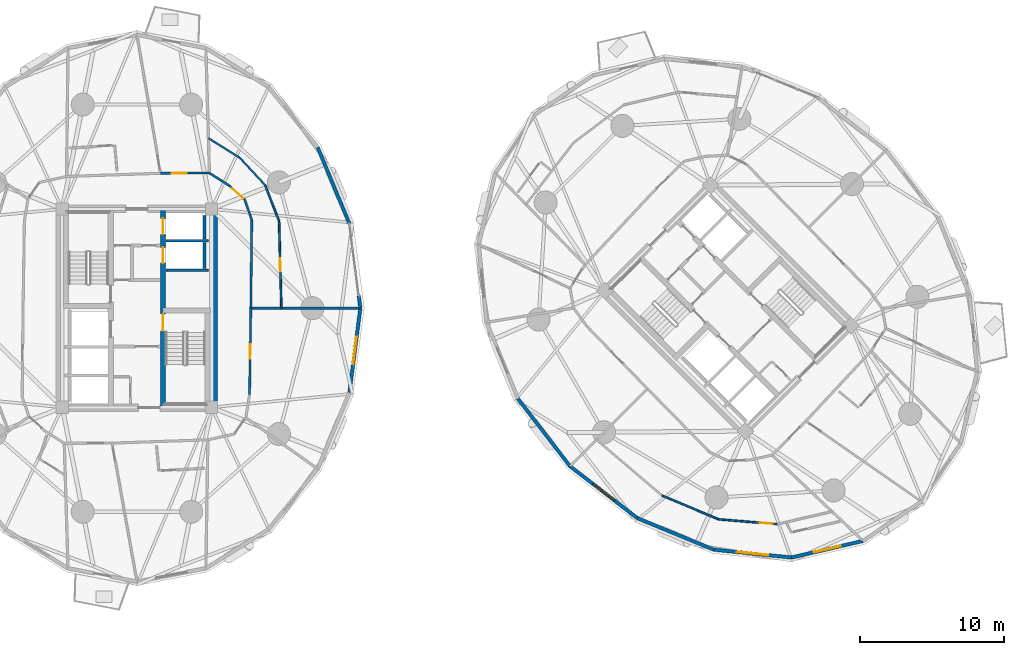
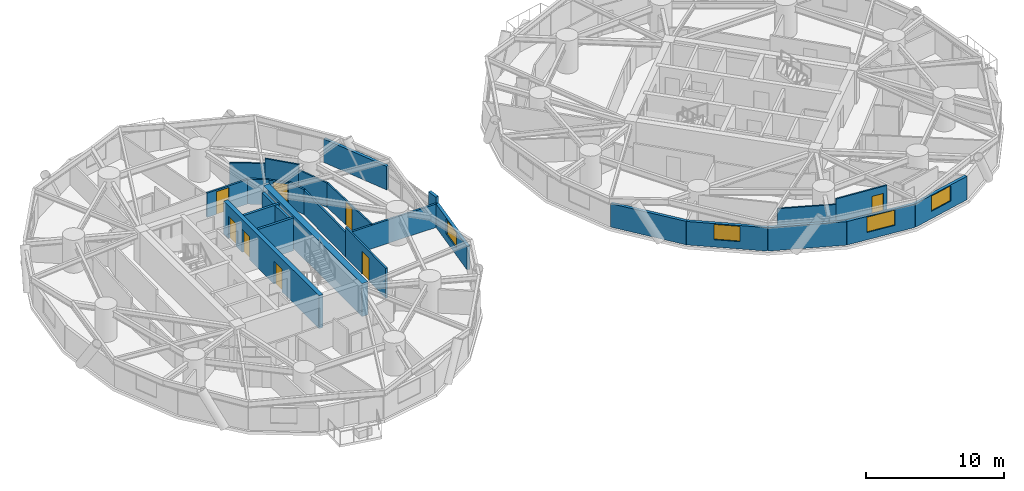
# One storey, part 11 of 19: 27 walls, 8 doors, 4 windows, 12 openings.
"""IFC4 building model written with IfcOpenShell, lengths in metres."""

from ifc_helpers import new_model, si_unit, direction, frame, frame_2d, origin, place, context, subcontext, project, spatial, rectangle, extrude, source, transform, mapped, material, layer, layer_set, type_object, element, fill, save


model = new_model("IFC4")

# Units and contexts
model_context = context("Model", 3, precision=1e-05, world=origin(), true_north=direction((0.0, 1.0)))
body_context = subcontext(model_context, "Body", "Model", "MODEL_VIEW")
ifc_project = project(units=[si_unit("LENGTHUNIT", "METRE"), si_unit("AREAUNIT", "SQUARE_METRE"), si_unit("VOLUMEUNIT", "CUBIC_METRE"), si_unit("PLANEANGLEUNIT", "RADIAN"), si_unit("MASSUNIT", "GRAM", prefix="KILO")], contexts=[model_context])

# Site, building, storey
site_placement = place(None, origin())
site = spatial("IfcSite", under=ifc_project, at=site_placement, CompositionType="ELEMENT")
building_placement = place(site_placement, origin())
building = spatial("IfcBuilding", under=site, at=building_placement, Name="Cununo Teusaquillo Station Towers", CompositionType="ELEMENT")
storey_placement = place(building_placement, frame((0.0, 0.0, 42.3701171875)))
storey = spatial("IfcBuildingStorey", under=building, at=storey_placement, Name="L12", CompositionType="ELEMENT", Elevation=42.3701171875)

# Walls
ifc_material_1 = material(Name="Concrete C50/60", Category="concrete")
ifc_layer_1 = layer(ifc_material_1, 0.199951171875)
ifc_layer_set_1 = layer_set([ifc_layer_1], Name="Concrete C50/60")
wall_type_1 = type_object("IfcWallType", Name="WL-CORE-200", PredefinedType="SHEAR", material=ifc_layer_set_1)
for number, where, z_axis, x_axis, name in (
    (1, (18.510009765625, 27.1298828125, 0.0), (0.0, 0.0, 1.0), (1.0, 0.0, 0.0), "L12 Tower A Low-Rise Lift Hoistway South Shear Wall"),
    (2, (18.510009765625, 29.175048828125, 0.0), (0.0, 0.0, 1.0), (1.0, 0.0, 0.0), "L12 Tower A Low-Rise Lift Hoistway Divider Shear Wall"),
):
    element("IfcWall", number, at=place(storey_placement, frame(where, z_axis=z_axis, x_axis=x_axis)), inside=storey, type_object=wall_type_1, Name=name, PredefinedType="SHEAR", context=body_context, shape_type="SweptSolid", body=[
        extrude(rectangle(XDim=2.969970703125, YDim=0.199951171875, at=frame_2d((1.48486328125, 0.0))), origin(), (0.0, 0.0, 1.0), 2.909912109375),
    ])
wall_1_placement = place(storey_placement, frame((21.179931640625, 27.25, 0.0), z_axis=(0.0, 0.0, 1.0), x_axis=(0.0, 1.0, 0.0)))
element("IfcWall", 3, at=wall_1_placement, inside=storey, type_object=wall_type_1, Name="L12 Tower A Low-Rise Lift 1 Shaft Rear Shear Wall", PredefinedType="SHEAR", context=body_context, shape_type="SweptSolid", body=[
    extrude(rectangle(XDim=1.804931640625, YDim=0.199951171875, at=frame_2d((0.90234375, 0.0))), origin(), (0.0, 0.0, 1.0), 2.909912109375),
])
wall_2_placement = place(storey_placement, frame((21.179931640625, 29.294921875, 0.0), z_axis=(0.0, 0.0, 1.0), x_axis=(0.0, 1.0, 0.0)))
element("IfcWall", 4, at=wall_2_placement, inside=storey, type_object=wall_type_1, Name="L12 Tower A Low-Rise Lift 2 Shaft Rear Shear Wall", PredefinedType="SHEAR", context=body_context, shape_type="SweptSolid", body=[
    extrude(rectangle(XDim=1.635009765625, YDim=0.199951171875, at=frame_2d((0.8173828125, 0.0))), origin(), (0.0, 0.0, 1.0), 2.909912109375),
])

# Wall, openings, doors
ifc_material_2 = material(Name="Concrete C50/60", Category="concrete")
ifc_layer_2 = layer(ifc_material_2, 0.35009765625)
ifc_layer_set_2 = layer_set([ifc_layer_2], Name="Concrete C50/60")
wall_type_2 = type_object("IfcWallType", Name="WL-CORE-350", PredefinedType="SHEAR", material=ifc_layer_set_2)
wall_3_placement = place(storey_placement, frame((18.31494140625, 17.60009765625, 0.0), z_axis=(0.0, 0.0, 1.0), x_axis=(0.0, 1.0, 0.0)))
wall_3 = element("IfcWall", 5, at=wall_3_placement, inside=storey, type_object=wall_type_2, Name="L12 Tower A Core Shear Wall IE", PredefinedType="SHEAR", context=body_context, shape_type="SweptSolid", body=[
    extrude(rectangle(XDim=13.7998046875, YDim=0.35009765625, at=frame_2d((6.89990234375, 0.0))), origin(), (0.0, 0.0, 1.0), 2.909912109375),
])
shared_shape_1 = source(origin(), body_context, "Body", "SweptSolid", [
    extrude(rectangle(XDim=1.10009765625, YDim=2.014892578125, at=frame_2d((0.550048828125, 1.00732421875))), frame((0.0, 0.18505859375, 0.0), z_axis=(0.0, -1.0, 0.0), x_axis=(1.0, 0.0, 0.0)), (0.0, 0.0, 1.0), 0.3701171875),
])
opening_1_placement = place(wall_3_placement, frame((10.02490234375, 0.0, 0.0)))
opening_1 = element("IfcOpeningElement", 6, at=opening_1_placement, cuts=wall_3, Name="Opening LD-01", PredefinedType="OPENING", context=body_context, shape_type="MappedRepresentation", body=[
    mapped(shared_shape_1, transform((0.0, 0.0, 0.0), x_axis=(1.0, 0.0, 0.0), y_axis=(0.0, 1.0, 0.0), z_axis=(0.0, 0.0, 1.0), scale=1.0)),
])
opening_2_placement = place(wall_3_placement, frame((12.02490234375, 0.0, 0.0)))
opening_2 = element("IfcOpeningElement", 7, at=opening_2_placement, cuts=wall_3, Name="Opening LD-01", PredefinedType="OPENING", context=body_context, shape_type="MappedRepresentation", body=[
    mapped(shared_shape_1, transform((0.0, 0.0, 0.0), x_axis=(1.0, 0.0, 0.0), y_axis=(0.0, 1.0, 0.0), z_axis=(0.0, 0.0, 1.0), scale=1.0)),
])
shared_shape_2 = source(origin(), body_context, "Body", "SweptSolid", [
    extrude(rectangle(XDim=1.14990234375, YDim=2.02001953125, at=frame_2d((0.574951171875, 1.010009765625))), frame((0.0, 0.18505859375, 0.0), z_axis=(0.0, -1.0, 0.0), x_axis=(1.0, 0.0, 0.0)), (0.0, 0.0, 1.0), 0.3701171875),
])
opening_3_placement = place(wall_3_placement, frame((5.330078125, 0.0, 0.0)))
opening_3 = element("IfcOpeningElement", 8, at=opening_3_placement, cuts=wall_3, Name="Opening D-ST1", PredefinedType="OPENING", context=body_context, shape_type="MappedRepresentation", body=[
    mapped(shared_shape_2, transform((0.0, 0.0, 0.0), x_axis=(1.0, 0.0, 0.0), y_axis=(0.0, 1.0, 0.0), z_axis=(0.0, 0.0, 1.0), scale=1.0)),
])
ifc_material_3 = material(Name="Galvanised fire-rated hollow steel door assembly", Category="steel")
door_type_1 = type_object("IfcDoorType", Name="DR-LIFT-1100", OperationType="SLIDING_TO_LEFT", PredefinedType="DOOR", material=ifc_material_3)
shared_shape_3 = source(origin(), body_context, "Body", "SweptSolid", [
    extrude(rectangle(XDim=1.10009765625, YDim=2.014892578125, at=frame_2d((0.550048828125, 1.00732421875))), frame((0.0, 0.02490234375, 0.0), z_axis=(0.0, -1.0, 0.0), x_axis=(1.0, 0.0, 0.0)), (0.0, 0.0, 1.0), 0.050048828125),
])
door_1_placement = place(opening_1_placement, origin())
door_1 = element("IfcDoor", 9, at=door_1_placement, inside=storey, type_object=door_type_1, Name="L12 Lift PL-T1-L1 Sliding Landing Door", OperationType="SLIDING_TO_RIGHT", OverallHeight=2.014892578125, OverallWidth=1.10009765625, PredefinedType="DOOR", context=body_context, shape_type="MappedRepresentation", body=[
    mapped(shared_shape_3, transform((0.0, 0.0, 0.0), x_axis=(1.0, 0.0, 0.0), y_axis=(0.0, 1.0, 0.0), z_axis=(0.0, 0.0, 1.0), scale=1.0)),
])
fill(opening_1, door_1)
door_2_placement = place(opening_2_placement, origin())
door_2 = element("IfcDoor", 10, at=door_2_placement, inside=storey, type_object=door_type_1, Name="L12 Lift PL-T1-L2 Sliding Landing Door", OperationType="SLIDING_TO_LEFT", OverallHeight=2.014892578125, OverallWidth=1.10009765625, PredefinedType="DOOR", context=body_context, shape_type="MappedRepresentation", body=[
    mapped(shared_shape_3, transform((0.0, 0.0, 0.0), x_axis=(1.0, 0.0, 0.0), y_axis=(0.0, 1.0, 0.0), z_axis=(0.0, 0.0, 1.0), scale=1.0)),
])
fill(opening_2, door_2)
ifc_material_4 = material(Name="Galvanised fire-rated hollow steel door assembly", Category="steel")
door_type_2 = type_object("IfcDoorType", Name="DR-STAIR-1150", OperationType="NOTDEFINED", PredefinedType="DOOR", material=ifc_material_4)
shared_shape_4 = source(origin(), body_context, "Body", "SweptSolid", [
    extrude(rectangle(XDim=1.14990234375, YDim=2.02001953125, at=frame_2d((0.574951171875, 1.010009765625))), frame((0.0, 0.02490234375, 0.0), z_axis=(0.0, -1.0, 0.0), x_axis=(1.0, 0.0, 0.0)), (0.0, 0.0, 1.0), 0.050048828125),
])
door_3_placement = place(opening_3_placement, origin())
door_3 = element("IfcDoor", 11, at=door_3_placement, inside=storey, type_object=door_type_2, Name="L12 Tower A Exit Stair 2 Fire Door", OperationType="SINGLE_SWING_RIGHT", OverallHeight=2.02001953125, OverallWidth=1.14990234375, PredefinedType="DOOR", context=body_context, shape_type="MappedRepresentation", body=[
    mapped(shared_shape_4, transform((0.0, 0.0, 0.0), x_axis=(1.0, 0.0, 0.0), y_axis=(0.0, 1.0, 0.0), z_axis=(0.0, 0.0, 1.0), scale=1.0)),
])
fill(opening_3, door_3)

# Walls
ifc_material_5 = material(Name="Concrete C60/75", Category="concrete")
ifc_layer_3 = layer(ifc_material_5, 0.5)
ifc_layer_set_3 = layer_set([ifc_layer_3], Name="Concrete C60/75")
wall_type_3 = type_object("IfcWallType", Name="WL-CORE-500", PredefinedType="SHEAR", material=ifc_layer_set_3)
wall_4_placement = place(storey_placement, frame((21.85009765625, 17.35009765625, 0.0), z_axis=(0.0, 0.0, 1.0), x_axis=(0.0, 1.0, 0.0)))
element("IfcWall", 12, at=wall_4_placement, inside=storey, type_object=wall_type_3, Name="L12 Tower A Core Shear Wall E", PredefinedType="SHEAR", context=body_context, shape_type="SweptSolid", body=[
    extrude(rectangle(XDim=14.2998046875, YDim=0.5, at=frame_2d((7.14990234375, 0.0))), origin(), (0.0, 0.0, 1.0), 2.909912109375),
])
ifc_material_6 = material(Name="Precast concrete C40/50", Category="concrete")
ifc_layer_4 = layer(ifc_material_6, 0.239990234375)
ifc_layer_set_4 = layer_set([ifc_layer_4], Name="Precast concrete C40/50")
wall_type_4 = type_object("IfcWallType", Name="WL-EXT-240", PredefinedType="SOLIDWALL", material=ifc_layer_set_4)
wall_5_placement = place(storey_placement, frame((31.88720703125, 25.36279296875, 0.0), z_axis=(0.0, 0.0, 1.0), x_axis=(0.128523364007, -0.991706481225, 0.0)))
element("IfcWall", 13, at=wall_5_placement, inside=storey, type_object=wall_type_4, Name="L12 Tower A Column Pier Cladding Wall C00-PB", PredefinedType="SOLIDWALL", context=body_context, shape_type="SweptSolid", body=[
    extrude(rectangle(XDim=0.8701171875, YDim=0.239990234375, at=frame_2d((0.43505859375, 0.0))), origin(), (0.0, 0.0, 1.0), 2.634765625),
])
wall_6_placement = place(storey_placement, frame((29.0390625, 35.650390625, 0.0), z_axis=(0.0, 0.0, 1.0), x_axis=(0.38430970593, -0.923204229804, 0.0)))
element("IfcWall", 14, at=wall_6_placement, inside=storey, type_object=wall_type_4, Name="L12 Tower A Exterior Facade Wall C01", PredefinedType="SOLIDWALL", context=body_context, shape_type="SweptSolid", body=[
    extrude(rectangle(XDim=5.728271484375, YDim=0.239990234375, at=frame_2d((2.8642578125, 0.0))), origin(), (0.0, 0.0, 1.0), 2.072998046875),
])

# Wall, opening, window
wall_7_placement = place(storey_placement, frame((31.9990234375, 24.5, 0.0), z_axis=(0.0, 0.0, 1.0), x_axis=(-0.128329107357, -0.991731637191, 0.0)))
wall_7 = element("IfcWall", 15, at=wall_7_placement, inside=storey, type_object=wall_type_4, Name="L12 Tower A Exterior Facade Wall C19", PredefinedType="SOLIDWALL", context=body_context, shape_type="SweptSolid", body=[
    extrude(rectangle(XDim=5.910888671875, YDim=0.239990234375, at=frame_2d((2.95556640625, 0.0))), origin(), (0.0, 0.0, 1.0), 2.072998046875),
])
shared_shape_5 = source(origin(), body_context, "Body", "SweptSolid", [
    extrude(rectangle(XDim=1.89990234375, YDim=1.35009765625, at=frame_2d((0.949951171875, 0.675048828125))), frame((0.0, 0.1298828125, 0.0), z_axis=(0.0, -1.0, 0.0), x_axis=(1.0, 0.0, 0.0)), (0.0, 0.0, 1.0), 0.260009765625),
])
opening_4_placement = place(wall_7_placement, frame((2.0048828125, 0.0, 0.64990234375)))
opening_4 = element("IfcOpeningElement", 16, at=opening_4_placement, cuts=wall_7, Name="Opening WN-02", PredefinedType="OPENING", context=body_context, shape_type="MappedRepresentation", body=[
    mapped(shared_shape_5, transform((0.0, 0.0, 0.0), x_axis=(1.0, 0.0, 0.0), y_axis=(0.0, 1.0, 0.0), z_axis=(0.0, 0.0, 1.0), scale=1.0)),
])
ifc_material_7 = material(Name="Operable acoustic tinted low-E double glazing", Category="glass")
window_type_1 = type_object("IfcWindowType", Name="WIN-OPER-1900", PartitioningType="DOUBLE_PANEL_VERTICAL", PredefinedType="WINDOW", material=ifc_material_7)
shared_shape_6 = source(origin(), body_context, "Body", "SweptSolid", [
    extrude(rectangle(XDim=1.89990234375, YDim=1.35009765625, at=frame_2d((0.949951171875, 0.675048828125))), frame((0.0, 0.030029296875, 0.0), z_axis=(0.0, -1.0, 0.0), x_axis=(1.0, 0.0, 0.0)), (0.0, 0.0, 1.0), 0.06005859375),
])
window_1_placement = place(opening_4_placement, origin())
window_1 = element("IfcWindow", 17, at=window_1_placement, inside=storey, type_object=window_type_1, Name="L12 Tower A Facade Window C19", OverallHeight=1.35009765625, OverallWidth=1.89990234375, PartitioningType="DOUBLE_PANEL_VERTICAL", PredefinedType="WINDOW", context=body_context, shape_type="MappedRepresentation", body=[
    mapped(shared_shape_6, transform((0.0, 0.0, 0.0), x_axis=(1.0, 0.0, 0.0), y_axis=(0.0, 1.0, 0.0), z_axis=(0.0, 0.0, 1.0), scale=1.0)),
])
fill(opening_4, window_1)

# Wall
wall_8_placement = place(storey_placement, frame((46.54052734375, 13.54052734375, 0.0), z_axis=(0.0, 0.0, 1.0), x_axis=(-0.610494906082, 0.792020182601, 0.0)))
element("IfcWall", 18, at=wall_8_placement, inside=storey, type_object=wall_type_4, Name="L12 Tower B Exterior Facade Wall C09", PredefinedType="SOLIDWALL", context=body_context, shape_type="SweptSolid", body=[
    extrude(rectangle(XDim=5.9111328125, YDim=0.239990234375, at=frame_2d((2.95556640625, 0.0))), origin(), (0.0, 0.0, 1.0), 2.072998046875),
])

# Wall, opening, window
wall_9_placement = place(storey_placement, frame((51.22216796875, 9.931884765625, 0.0), z_axis=(0.0, 0.0, 1.0), x_axis=(-0.792020182601, 0.610494906082, 0.0)))
wall_9 = element("IfcWall", 19, at=wall_9_placement, inside=storey, type_object=wall_type_4, Name="L12 Tower B Exterior Facade Wall C10", PredefinedType="SOLIDWALL", context=body_context, shape_type="SweptSolid", body=[
    extrude(rectangle(XDim=5.9111328125, YDim=0.239990234375, at=frame_2d((2.95556640625, 0.0))), origin(), (0.0, 0.0, 1.0), 2.072998046875),
])
opening_5_placement = place(wall_9_placement, frame((2.0048828125, 0.0, 0.64990234375)))
opening_5 = element("IfcOpeningElement", 20, at=opening_5_placement, cuts=wall_9, Name="Opening WN-02", PredefinedType="OPENING", context=body_context, shape_type="MappedRepresentation", body=[
    mapped(shared_shape_5, transform((0.0, 0.0, 0.0), x_axis=(1.0, 0.0, 0.0), y_axis=(0.0, 1.0, 0.0), z_axis=(0.0, 0.0, 1.0), scale=1.0)),
])
window_2_placement = place(opening_5_placement, origin())
window_2 = element("IfcWindow", 21, at=window_2_placement, inside=storey, type_object=window_type_1, Name="L12 Tower B Facade Window C10", OverallHeight=1.35009765625, OverallWidth=1.89990234375, PartitioningType="DOUBLE_PANEL_VERTICAL", PredefinedType="WINDOW", context=body_context, shape_type="MappedRepresentation", body=[
    mapped(shared_shape_6, transform((0.0, 0.0, 0.0), x_axis=(1.0, 0.0, 0.0), y_axis=(0.0, 1.0, 0.0), z_axis=(0.0, 0.0, 1.0), scale=1.0)),
])
fill(opening_5, window_2)

# Wall
wall_10_placement = place(storey_placement, frame((56.51806640625, 7.7490234375, 0.0), z_axis=(0.0, 0.0, 1.0), x_axis=(-0.924542988536, 0.381077764176, 0.0)))
element("IfcWall", 22, at=wall_10_placement, inside=storey, type_object=wall_type_4, Name="L12 Tower B Exterior Facade Wall C11", PredefinedType="SOLIDWALL", context=body_context, shape_type="SweptSolid", body=[
    extrude(rectangle(XDim=5.72802734375, YDim=0.239990234375, at=frame_2d((2.864013671875, 0.0))), origin(), (0.0, 0.0, 1.0), 2.072998046875),
])

# Wall, opening, window
wall_11_placement = place(storey_placement, frame((61.91015625, 7.2060546875, 0.0), z_axis=(0.0, 0.0, 1.0), x_axis=(-0.994968263437, 0.100190592135, 0.0)))
wall_11 = element("IfcWall", 23, at=wall_11_placement, inside=storey, type_object=wall_type_4, Name="L12 Tower B Exterior Facade Wall C12", PredefinedType="SOLIDWALL", context=body_context, shape_type="SweptSolid", body=[
    extrude(rectangle(XDim=5.41943359375, YDim=0.239990234375, at=frame_2d((2.709716796875, 0.0))), origin(), (0.0, 0.0, 1.0), 2.072998046875),
])
shared_shape_7 = source(origin(), body_context, "Body", "SweptSolid", [
    extrude(rectangle(XDim=2.199951171875, YDim=1.35009765625, at=frame_2d((1.10009765625, 0.675048828125))), frame((0.0, 0.1298828125, 0.0), z_axis=(0.0, -1.0, 0.0), x_axis=(1.0, 0.0, 0.0)), (0.0, 0.0, 1.0), 0.260009765625),
])
opening_6_placement = place(wall_11_placement, frame((1.610107421875, 0.0, 0.64990234375)))
opening_6 = element("IfcOpeningElement", 24, at=opening_6_placement, cuts=wall_11, Name="Opening WN-01", PredefinedType="OPENING", context=body_context, shape_type="MappedRepresentation", body=[
    mapped(shared_shape_7, transform((0.0, 0.0, 0.0), x_axis=(1.0, 0.0, 0.0), y_axis=(0.0, 1.0, 0.0), z_axis=(0.0, 0.0, 1.0), scale=1.0)),
])
ifc_material_8 = material(Name="Ceramic-fritted dark low-E double glazing", Category="glass")
window_type_2 = type_object("IfcWindowType", Name="WIN-FRIT-2200", PartitioningType="DOUBLE_PANEL_VERTICAL", PredefinedType="WINDOW", material=ifc_material_8)
shared_shape_8 = source(origin(), body_context, "Body", "SweptSolid", [
    extrude(rectangle(XDim=2.199951171875, YDim=1.35009765625, at=frame_2d((1.10009765625, 0.675048828125))), frame((0.0, 0.030029296875, 0.0), z_axis=(0.0, -1.0, 0.0), x_axis=(1.0, 0.0, 0.0)), (0.0, 0.0, 1.0), 0.06005859375),
])
window_3_placement = place(opening_6_placement, origin())
window_3 = element("IfcWindow", 25, at=window_3_placement, inside=storey, type_object=window_type_2, Name="L12 Tower B Facade Window C12", OverallHeight=1.35009765625, OverallWidth=2.199951171875, PartitioningType="DOUBLE_PANEL_VERTICAL", PredefinedType="WINDOW", context=body_context, shape_type="MappedRepresentation", body=[
    mapped(shared_shape_8, transform((0.0, 0.0, 0.0), x_axis=(1.0, 0.0, 0.0), y_axis=(0.0, 1.0, 0.0), z_axis=(0.0, 0.0, 1.0), scale=1.0)),
])
fill(opening_6, window_3)

wall_12_placement = place(storey_placement, frame((66.87060546875, 8.35595703125, 0.0), z_axis=(0.0, 0.0, 1.0), x_axis=(-0.974167686491, -0.22582585901, 0.0)))
wall_12 = element("IfcWall", 26, at=wall_12_placement, inside=storey, type_object=wall_type_4, Name="L12 Tower B Exterior Facade Wall C13", PredefinedType="SOLIDWALL", context=body_context, shape_type="SweptSolid", body=[
    extrude(rectangle(XDim=5.092041015625, YDim=0.239990234375, at=frame_2d((2.5458984375, 0.0))), origin(), (0.0, 0.0, 1.0), 2.072998046875),
])
opening_7_placement = place(wall_12_placement, frame((1.595947265625, 0.0, 0.64990234375)))
opening_7 = element("IfcOpeningElement", 27, at=opening_7_placement, cuts=wall_12, Name="Opening WN-02", PredefinedType="OPENING", context=body_context, shape_type="MappedRepresentation", body=[
    mapped(shared_shape_5, transform((0.0, 0.0, 0.0), x_axis=(1.0, 0.0, 0.0), y_axis=(0.0, 1.0, 0.0), z_axis=(0.0, 0.0, 1.0), scale=1.0)),
])
window_4_placement = place(opening_7_placement, origin())
window_4 = element("IfcWindow", 28, at=window_4_placement, inside=storey, type_object=window_type_1, Name="L12 Tower B Facade Window C13", OverallHeight=1.35009765625, OverallWidth=1.89990234375, PartitioningType="DOUBLE_PANEL_VERTICAL", PredefinedType="WINDOW", context=body_context, shape_type="MappedRepresentation", body=[
    mapped(shared_shape_6, transform((0.0, 0.0, 0.0), x_axis=(1.0, 0.0, 0.0), y_axis=(0.0, 1.0, 0.0), z_axis=(0.0, 0.0, 1.0), scale=1.0)),
])
fill(opening_7, window_4)

# Wall, opening, door
ifc_material_9 = material(Name="Fire-rated gypsum plasterboard partition assembly", Category="gypsum")
ifc_layer_5 = layer(ifc_material_9, 0.125)
ifc_layer_set_5 = layer_set([ifc_layer_5], Name="Fire-rated gypsum plasterboard partition assembly")
wall_type_5 = type_object("IfcWallType", Name="WL-PART-125", PredefinedType="PARTITIONING", material=ifc_layer_set_5)
wall_13_placement = place(storey_placement, frame((26.522216796875, 24.5, 0.0), z_axis=(0.0, 0.0, 1.0), x_axis=(-0.026902612335, 0.999638059224, 0.0)))
wall_13 = element("IfcWall", 29, at=wall_13_placement, inside=storey, type_object=wall_type_5, Name="L12 Tower A Hotel Grand Dining & Tea Lounge Concentric Partition Wall C00", PredefinedType="PARTITIONING", context=body_context, shape_type="SweptSolid", body=[
    extrude(rectangle(XDim=6.0439453125, YDim=0.125, at=frame_2d((3.02197265625, 0.0))), origin(), (0.0, 0.0, 1.0), 2.158935546875),
])
shared_shape_9 = source(origin(), body_context, "Body", "SweptSolid", [
    extrude(rectangle(XDim=0.89990234375, YDim=2.0048828125, at=frame_2d((0.449951171875, 1.00244140625))), frame((0.0, 0.072509765625, 0.0), z_axis=(0.0, -1.0, 0.0), x_axis=(1.0, 0.0, 0.0)), (0.0, 0.0, 1.0), 0.14501953125),
])
opening_8_placement = place(wall_13_placement, frame((2.572021484375, 0.0, 0.0)))
opening_8 = element("IfcOpeningElement", 30, at=opening_8_placement, cuts=wall_13, Name="Opening D-IN1", PredefinedType="OPENING", context=body_context, shape_type="MappedRepresentation", body=[
    mapped(shared_shape_9, transform((0.0, 0.0, 0.0), x_axis=(1.0, 0.0, 0.0), y_axis=(0.0, 1.0, 0.0), z_axis=(0.0, 0.0, 1.0), scale=1.0)),
])
ifc_material_10 = material(Name="Acoustic solid-core hardwood leaf assembly", Category="wood")
door_type_3 = type_object("IfcDoorType", Name="DR-INT-900", OperationType="NOTDEFINED", PredefinedType="DOOR", material=ifc_material_10)
shared_shape_10 = source(origin(), body_context, "Body", "SweptSolid", [
    extrude(rectangle(XDim=0.89990234375, YDim=2.0048828125, at=frame_2d((0.449951171875, 1.00244140625))), frame((0.0, 0.02490234375, 0.0), z_axis=(0.0, -1.0, 0.0), x_axis=(1.0, 0.0, 0.0)), (0.0, 0.0, 1.0), 0.050048828125),
])
door_4_placement = place(opening_8_placement, origin())
door_4 = element("IfcDoor", 31, at=door_4_placement, inside=storey, type_object=door_type_3, Name="L12 Tower A Hotel Grand Dining & Tea Lounge Connecting Door", OperationType="SINGLE_SWING_RIGHT", OverallHeight=2.0048828125, OverallWidth=0.89990234375, PredefinedType="DOOR", context=body_context, shape_type="MappedRepresentation", body=[
    mapped(shared_shape_10, transform((0.0, 0.0, 0.0), x_axis=(1.0, 0.0, 0.0), y_axis=(0.0, 1.0, 0.0), z_axis=(0.0, 0.0, 1.0), scale=1.0)),
])
fill(opening_8, door_4)

# Walls
wall_14_placement = place(storey_placement, frame((26.359619140625, 30.541748046875, 0.0), z_axis=(0.0, 0.0, 1.0), x_axis=(-0.361464762384, 0.932385770781, 0.0)))
element("IfcWall", 32, at=wall_14_placement, inside=storey, type_object=wall_type_5, Name="L12 Tower A Hotel Grand Dining & Tea Lounge Concentric Partition Wall C01", PredefinedType="PARTITIONING", context=body_context, shape_type="SweptSolid", body=[
    extrude(rectangle(XDim=2.67724609375, YDim=0.125, at=frame_2d((1.338623046875, 0.0))), origin(), (0.0, 0.0, 1.0), 2.158935546875),
])
wall_15_placement = place(storey_placement, frame((25.391845703125, 33.0380859375, 0.0), z_axis=(0.0, 0.0, 1.0), x_axis=(-0.67989141147, 0.733312804068, 0.0)))
element("IfcWall", 33, at=wall_15_placement, inside=storey, type_object=wall_type_5, Name="L12 Tower A Hotel Grand Dining & Tea Lounge Concentric Partition Wall C02", PredefinedType="PARTITIONING", context=body_context, shape_type="SweptSolid", body=[
    extrude(rectangle(XDim=2.57763671875, YDim=0.125, at=frame_2d((1.288818359375, 0.0))), origin(), (0.0, 0.0, 1.0), 2.634765625),
])
wall_16_placement = place(storey_placement, frame((23.639404296875, 34.92822265625, 0.0), z_axis=(0.0, 0.0, 1.0), x_axis=(-0.847294097071, 0.531124009125, 0.0)))
element("IfcWall", 34, at=wall_16_placement, inside=storey, type_object=wall_type_5, Name="L12 Tower A Hotel Grand Dining & Tea Lounge Concentric Partition Wall C03", PredefinedType="PARTITIONING", context=body_context, shape_type="SweptSolid", body=[
    extrude(rectangle(XDim=2.57373046875, YDim=0.125, at=frame_2d((1.286865234375, 0.0))), origin(), (0.0, 0.0, 1.0), 2.204833984375),
])
wall_17_placement = place(storey_placement, frame((52.929931640625, 11.501220703125, 0.0), z_axis=(0.0, 0.0, 1.0), x_axis=(0.922051248037, -0.387067818338, 0.0)))
element("IfcWall", 35, at=wall_17_placement, inside=storey, type_object=wall_type_5, Name="L12 Tower B Imperial Corner Hotel Suite Concentric Partition Wall C11", PredefinedType="PARTITIONING", context=body_context, shape_type="SweptSolid", body=[
    extrude(rectangle(XDim=4.260009765625, YDim=0.125, at=frame_2d((2.1298828125, 0.0))), origin(), (0.0, 0.0, 1.0), 2.158935546875),
])

# Wall, opening, door
wall_18_placement = place(storey_placement, frame((56.85791015625, 9.852294921875, 0.0), z_axis=(0.0, 0.0, 1.0), x_axis=(0.996604967548, -0.082331881181, 0.0)))
wall_18 = element("IfcWall", 36, at=wall_18_placement, inside=storey, type_object=wall_type_5, Name="L12 Tower B Imperial Corner Hotel Suite Concentric Partition Wall C12", PredefinedType="PARTITIONING", context=body_context, shape_type="SweptSolid", body=[
    extrude(rectangle(XDim=4.077392578125, YDim=0.125, at=frame_2d((2.03857421875, 0.0))), origin(), (0.0, 0.0, 1.0), 2.634765625),
])
opening_9_placement = place(wall_18_placement, frame((2.873779296875, 0.0, 0.0)))
opening_9 = element("IfcOpeningElement", 37, at=opening_9_placement, cuts=wall_18, Name="Opening D-IN1", PredefinedType="OPENING", context=body_context, shape_type="MappedRepresentation", body=[
    mapped(shared_shape_9, transform((0.0, 0.0, 0.0), x_axis=(1.0, 0.0, 0.0), y_axis=(0.0, 1.0, 0.0), z_axis=(0.0, 0.0, 1.0), scale=1.0)),
])
door_5_placement = place(opening_9_placement, origin())
door_5 = element("IfcDoor", 38, at=door_5_placement, inside=storey, type_object=door_type_3, Name="L12 Tower B Imperial Corner Hotel Suite Connecting Door", OperationType="SINGLE_SWING_LEFT", OverallHeight=2.0048828125, OverallWidth=0.89990234375, PredefinedType="DOOR", context=body_context, shape_type="MappedRepresentation", body=[
    mapped(shared_shape_10, transform((0.0, 0.0, 0.0), x_axis=(1.0, 0.0, 0.0), y_axis=(0.0, 1.0, 0.0), z_axis=(0.0, 0.0, 1.0), scale=1.0)),
])
fill(opening_9, door_5)

# Walls
ifc_material_11 = material(Name="Fire-rated gypsum plasterboard partition assembly", Category="gypsum")
ifc_layer_6 = layer(ifc_material_11, 0.14990234375)
ifc_layer_set_6 = layer_set([ifc_layer_6], Name="Fire-rated gypsum plasterboard partition assembly")
wall_type_6 = type_object("IfcWallType", Name="WL-PART-150", PredefinedType="PARTITIONING", material=ifc_layer_set_6)
wall_19_placement = place(storey_placement, frame((24.39990234375, 24.5, 0.0), z_axis=(0.0, 0.0, 1.0), x_axis=(0.011299841544, 0.999936154752, 0.0)))
element("IfcWall", 39, at=wall_19_placement, inside=storey, type_object=wall_type_6, Name="L12 Tower A Corridor Ring Wall C00", PredefinedType="PARTITIONING", context=body_context, shape_type="SweptSolid", body=[
    extrude(rectangle(XDim=6.114501953125, YDim=0.14990234375, at=frame_2d((3.05712890625, 0.0))), origin(), (0.0, 0.0, 1.0), 2.158935546875),
])
wall_20_placement = place(storey_placement, frame((24.468994140625, 30.614013671875, 0.0), z_axis=(0.0, 0.0, 1.0), x_axis=(-0.327228335485, 0.944945298129, 0.0)))
element("IfcWall", 40, at=wall_20_placement, inside=storey, type_object=wall_type_6, Name="L12 Tower A Corridor Ring Wall C01", PredefinedType="PARTITIONING", context=body_context, shape_type="SweptSolid", body=[
    extrude(rectangle(XDim=1.4951171875, YDim=0.14990234375, at=frame_2d((0.74755859375, 0.0))), origin(), (0.0, 0.0, 1.0), 2.204833984375),
])

# Wall, opening, door
wall_21_placement = place(storey_placement, frame((23.979736328125, 32.02685546875, 0.0), z_axis=(0.0, 0.0, 1.0), x_axis=(-0.742353224332, 0.670008724065, 0.0)))
wall_21 = element("IfcWall", 41, at=wall_21_placement, inside=storey, type_object=wall_type_6, Name="L12 Tower A Corridor Ring Wall C02", PredefinedType="PARTITIONING", context=body_context, shape_type="SweptSolid", body=[
    extrude(rectangle(XDim=1.48486328125, YDim=0.14990234375, at=frame_2d((0.742431640625, 0.0))), origin(), (0.0, 0.0, 1.0), 2.158935546875),
])
shared_shape_11 = source(origin(), body_context, "Body", "SweptSolid", [
    extrude(rectangle(XDim=1.050048828125, YDim=2.014892578125, at=frame_2d((0.52490234375, 1.00732421875))), frame((0.0, 0.0849609375, 0.0), z_axis=(0.0, -1.0, 0.0), x_axis=(1.0, 0.0, 0.0)), (0.0, 0.0, 1.0), 0.169921875),
])
opening_10_placement = place(wall_21_placement, frame((0.1201171875, 0.0, 0.0)))
opening_10 = element("IfcOpeningElement", 42, at=opening_10_placement, cuts=wall_21, Name="Opening D-SU1", PredefinedType="OPENING", context=body_context, shape_type="MappedRepresentation", body=[
    mapped(shared_shape_11, transform((0.0, 0.0, 0.0), x_axis=(1.0, 0.0, 0.0), y_axis=(0.0, 1.0, 0.0), z_axis=(0.0, 0.0, 1.0), scale=1.0)),
])
ifc_material_12 = material(Name="Acoustic solid-core hardwood leaf assembly", Category="wood")
door_type_4 = type_object("IfcDoorType", Name="DR-SUITE-1050", OperationType="NOTDEFINED", PredefinedType="DOOR", material=ifc_material_12)
shared_shape_12 = source(origin(), body_context, "Body", "SweptSolid", [
    extrude(rectangle(XDim=1.050048828125, YDim=2.014892578125, at=frame_2d((0.52490234375, 1.00732421875))), frame((0.0, 0.02490234375, 0.0), z_axis=(0.0, -1.0, 0.0), x_axis=(1.0, 0.0, 0.0)), (0.0, 0.0, 1.0), 0.050048828125),
])
door_6_placement = place(opening_10_placement, origin())
door_6 = element("IfcDoor", 43, at=door_6_placement, inside=storey, type_object=door_type_4, Name="L12 Tower A Hotel Grand Dining & Tea Lounge Entrance Door", OperationType="SINGLE_SWING_LEFT", OverallHeight=2.014892578125, OverallWidth=1.050048828125, PredefinedType="DOOR", context=body_context, shape_type="MappedRepresentation", body=[
    mapped(shared_shape_12, transform((0.0, 0.0, 0.0), x_axis=(1.0, 0.0, 0.0), y_axis=(0.0, 1.0, 0.0), z_axis=(0.0, 0.0, 1.0), scale=1.0)),
])
fill(opening_10, door_6)

# Wall
wall_22_placement = place(storey_placement, frame((22.87744140625, 33.021728515625, 0.0), z_axis=(0.0, 0.0, 1.0), x_axis=(-0.845895608855, 0.533348496689, 0.0)))
element("IfcWall", 44, at=wall_22_placement, inside=storey, type_object=wall_type_6, Name="L12 Tower A Corridor Ring Wall C03", PredefinedType="PARTITIONING", context=body_context, shape_type="SweptSolid", body=[
    extrude(rectangle(XDim=1.5966796875, YDim=0.14990234375, at=frame_2d((0.79833984375, 0.0))), origin(), (0.0, 0.0, 1.0), 2.204833984375),
])

# Wall, opening, door
wall_23_placement = place(storey_placement, frame((21.52685546875, 33.873291015625, 0.0), z_axis=(0.0, 0.0, 1.0), x_axis=(-0.999991838845, -0.004040079574, 0.0)))
wall_23 = element("IfcWall", 45, at=wall_23_placement, inside=storey, type_object=wall_type_6, Name="L12 Tower A Corridor Ring Wall C04", PredefinedType="PARTITIONING", context=body_context, shape_type="SweptSolid", body=[
    extrude(rectangle(XDim=3.384033203125, YDim=0.14990234375, at=frame_2d((1.69189453125, 0.0))), origin(), (0.0, 0.0, 1.0), 2.158935546875),
])
opening_11_placement = place(wall_23_placement, frame((1.5595703125, 0.0, 0.0)))
opening_11 = element("IfcOpeningElement", 46, at=opening_11_placement, cuts=wall_23, Name="Opening D-SU1", PredefinedType="OPENING", context=body_context, shape_type="MappedRepresentation", body=[
    mapped(shared_shape_11, transform((0.0, 0.0, 0.0), x_axis=(1.0, 0.0, 0.0), y_axis=(0.0, 1.0, 0.0), z_axis=(0.0, 0.0, 1.0), scale=1.0)),
])
door_7_placement = place(opening_11_placement, origin())
door_7 = element("IfcDoor", 47, at=door_7_placement, inside=storey, type_object=door_type_4, Name="L12 Tower A Royal Corner Hotel Suite Entrance Door", OperationType="SINGLE_SWING_LEFT", OverallHeight=2.014892578125, OverallWidth=1.050048828125, PredefinedType="DOOR", context=body_context, shape_type="MappedRepresentation", body=[
    mapped(shared_shape_12, transform((0.0, 0.0, 0.0), x_axis=(1.0, 0.0, 0.0), y_axis=(0.0, 1.0, 0.0), z_axis=(0.0, 0.0, 1.0), scale=1.0)),
])
fill(opening_11, door_7)

wall_24_placement = place(storey_placement, frame((24.3134765625, 18.496337890625, 0.0), z_axis=(0.0, 0.0, 1.0), x_axis=(0.014394019188, 0.999896400739, 0.0)))
wall_24 = element("IfcWall", 48, at=wall_24_placement, inside=storey, type_object=wall_type_6, Name="L12 Tower A Corridor Ring Wall C19", PredefinedType="PARTITIONING", context=body_context, shape_type="SweptSolid", body=[
    extrude(rectangle(XDim=6.00439453125, YDim=0.14990234375, at=frame_2d((3.002197265625, 0.0))), origin(), (0.0, 0.0, 1.0), 2.634765625),
])
shared_shape_13 = source(origin(), body_context, "Body", "SweptSolid", [
    extrude(rectangle(XDim=1.0, YDim=2.014892578125, at=frame_2d((0.5, 1.00732421875))), frame((0.0, 0.0849609375, 0.0), z_axis=(0.0, -1.0, 0.0), x_axis=(1.0, 0.0, 0.0)), (0.0, 0.0, 1.0), 0.169921875),
])
opening_12_placement = place(wall_24_placement, frame((2.502197265625, 0.0, 0.0)))
opening_12 = element("IfcOpeningElement", 49, at=opening_12_placement, cuts=wall_24, Name="Opening D-AC1", PredefinedType="OPENING", context=body_context, shape_type="MappedRepresentation", body=[
    mapped(shared_shape_13, transform((0.0, 0.0, 0.0), x_axis=(1.0, 0.0, 0.0), y_axis=(0.0, 1.0, 0.0), z_axis=(0.0, 0.0, 1.0), scale=1.0)),
])
ifc_material_13 = material(Name="Acoustic solid-core hardwood leaf assembly", Category="wood")
door_type_5 = type_object("IfcDoorType", Name="DR-ACC-1000", OperationType="NOTDEFINED", PredefinedType="DOOR", material=ifc_material_13)
shared_shape_14 = source(origin(), body_context, "Body", "SweptSolid", [
    extrude(rectangle(XDim=1.0, YDim=2.014892578125, at=frame_2d((0.5, 1.00732421875))), frame((0.0, 0.02490234375, 0.0), z_axis=(0.0, -1.0, 0.0), x_axis=(1.0, 0.0, 0.0)), (0.0, 0.0, 1.0), 0.050048828125),
])
door_8_placement = place(opening_12_placement, origin())
door_8 = element("IfcDoor", 50, at=door_8_placement, inside=storey, type_object=door_type_5, Name="L12 Tower A Public Accessible Restroom WC Entrance Door", OperationType="SINGLE_SWING_LEFT", OverallHeight=2.014892578125, OverallWidth=1.0, PredefinedType="DOOR", context=body_context, shape_type="MappedRepresentation", body=[
    mapped(shared_shape_14, transform((0.0, 0.0, 0.0), x_axis=(1.0, 0.0, 0.0), y_axis=(0.0, 1.0, 0.0), z_axis=(0.0, 0.0, 1.0), scale=1.0)),
])
fill(opening_12, door_8)

# Wall
ifc_material_14 = material(Name="Fire-rated gypsum plasterboard partition assembly", Category="gypsum")
ifc_layer_7 = layer(ifc_material_14, 0.159912109375)
ifc_layer_set_7 = layer_set([ifc_layer_7], Name="Fire-rated gypsum plasterboard partition assembly")
wall_type_7 = type_object("IfcWallType", Name="WL-PART-160", PredefinedType="PARTITIONING", material=ifc_layer_set_7)
wall_25_placement = place(storey_placement, frame((24.39990234375, 24.5, 0.0), z_axis=(0.0, 0.0, 1.0), x_axis=(1.0, 0.0, 0.0)))
element("IfcWall", 51, at=wall_25_placement, inside=storey, type_object=wall_type_7, Name="L12 Tower A Radial Suite Partition R01", PredefinedType="PARTITIONING", context=body_context, shape_type="SweptSolid", body=[
    extrude(rectangle(XDim=7.5791015625, YDim=0.159912109375, at=frame_2d((3.78955078125, 0.0))), origin(), (0.0, 0.0, 1.0), 2.072998046875),
])

save(model, "model.ifc")
